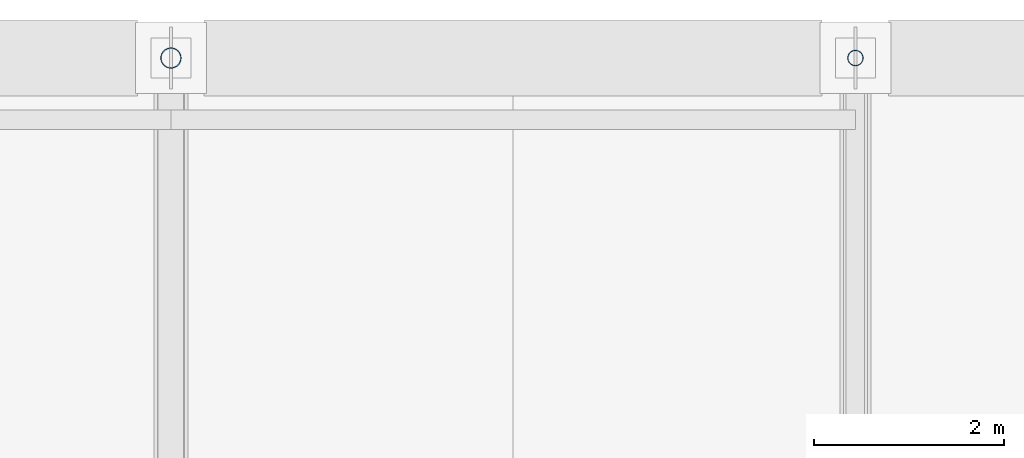
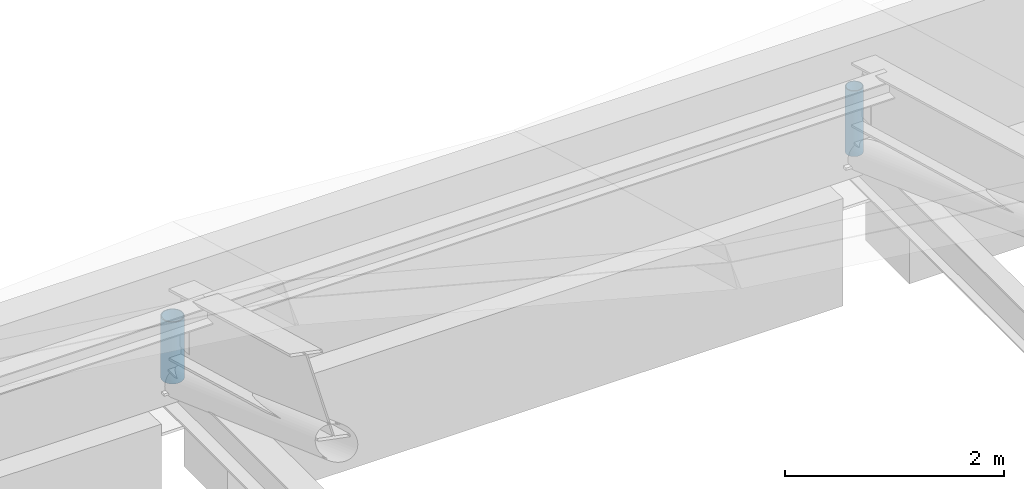
# One storey, part 39 of 53: 2 members.
"""IFC4 building model written with IfcOpenShell, lengths in metres."""

import ifcopenshell
import ifcopenshell.guid

model = None  # the IFC model being written
_history = None  # IfcOwnerHistory: only IFC2X3 demands one
_inside = {}  # id of a spatial element -> (the spatial element, [elements in it])
_under = {}  # id of a project, library or spatial element -> (it, [spatial elements below it])
_declared = {}  # id of a project -> (the project, [libraries it declares])
_typed = {}  # id of a type object -> (the type object, [elements of that type])
_made_of = {}  # id of a material, layer set ... -> (it, [elements and type objects made of it])


def new_model(schema):
    """Start an empty IFC model of exactly this schema.

    Asked for "IFC4X3", IfcOpenShell would pick the latest addendum, in which some entities
    have other attributes; the version numbers below select the first issue.
    IFC2X3 requires an IfcOwnerHistory on every rooted entity: one is made here for all.
    """
    global model, _history
    if schema == "IFC4X3":
        model = ifcopenshell.file(schema_version=(4, 3, 0, 0))
    else:
        model = ifcopenshell.file(schema=schema)
    _inside.clear()
    _under.clear()
    _declared.clear()
    _typed.clear()
    _made_of.clear()
    _history = None
    if model.schema == "IFC2X3":
        org = make("IfcOrganization", Name="unknown")
        user = make(
            "IfcPersonAndOrganization",
            ThePerson=make("IfcPerson", FamilyName="unknown"),
            TheOrganization=org,
        )
        app = make(
            "IfcApplication",
            ApplicationDeveloper=org,
            Version="unknown",
            ApplicationFullName="unknown",
            ApplicationIdentifier="unknown",
        )
        _history = make(
            "IfcOwnerHistory",
            OwningUser=user,
            OwningApplication=app,
            ChangeAction="ADDED",
            CreationDate=0,
        )
    return model


def make(cls, **values):
    """One entity of the class cls with the attributes given. An attribute that is None is left unset."""
    return model.create_entity(
        cls, **{name: value for name, value in values.items() if value is not None}
    )


def rooted(cls, **values):
    """An entity with a GlobalId (a new one), such as an element, a storey or a relation."""
    return make(cls, GlobalId=ifcopenshell.guid.new(), OwnerHistory=_history, **values)


def si_unit(unit_type, name, prefix=None):
    """IfcSIUnit, for example si_unit("LENGTHUNIT", "METRE", prefix="MILLI")."""
    return make("IfcSIUnit", UnitType=unit_type, Prefix=prefix, Name=name)


def assignment(units):
    """IfcUnitAssignment: the units of a project."""
    return None if units is None else make("IfcUnitAssignment", Units=units)


def point(xyz):
    """IfcCartesianPoint."""
    return None if xyz is None else make("IfcCartesianPoint", Coordinates=xyz)


def direction(xyz):
    """IfcDirection."""
    return None if xyz is None else make("IfcDirection", DirectionRatios=xyz)


def frame(location, z_axis=None, x_axis=None):
    """IfcAxis2Placement3D, a coordinate frame: its origin and axes. An axis left out is left unset."""
    return make(
        "IfcAxis2Placement3D",
        Location=point(location),
        Axis=direction(z_axis),
        RefDirection=direction(x_axis),
    )


def frame_2d(location, x_axis=None):
    """IfcAxis2Placement2D, a coordinate frame in the plane: its origin and x axis."""
    return make(
        "IfcAxis2Placement2D", Location=point(location), RefDirection=direction(x_axis)
    )


def origin():
    """The frame at (0, 0, 0) with its axes left unset."""
    return frame((0.0, 0.0, 0.0))


def origin_2d():
    """The frame at (0, 0) in the plane with its x axis left unset."""
    return frame_2d((0.0, 0.0))


def place(relative_to, where):
    """IfcLocalPlacement: puts the frame where relative to a parent placement (None: the world)."""
    return make(
        "IfcLocalPlacement", PlacementRelTo=relative_to, RelativePlacement=where
    )


def context(
    kind, dimensions, precision=None, world=None, true_north=None, identifier=None
):
    """IfcGeometricRepresentationContext, for example the 3D "Model" context."""
    return make(
        "IfcGeometricRepresentationContext",
        ContextIdentifier=identifier,
        ContextType=kind,
        CoordinateSpaceDimension=dimensions,
        Precision=precision,
        WorldCoordinateSystem=world,
        TrueNorth=true_north,
    )


def subcontext(parent, identifier, kind, view, scale=None):
    """IfcGeometricRepresentationSubContext, for example "Body" below "Model"."""
    return make(
        "IfcGeometricRepresentationSubContext",
        ContextIdentifier=identifier,
        ContextType=kind,
        ParentContext=parent,
        TargetScale=scale,
        TargetView=view,
    )


def project(units=None, contexts=None):
    """IfcProject with its units and contexts."""
    return rooted(
        "IfcProject",
        Name="project",
        RepresentationContexts=contexts,
        UnitsInContext=assignment(units),
    )


def spatial(cls, under=None, at=None, **own):
    """A site, building, storey or space (cls), placed at a placement, below another one or the project."""
    s = rooted(cls, ObjectPlacement=at, **own)
    if under is not None:
        _under.setdefault(under.id(), (under, []))[1].append(s)
    return s


def profile(cls, at=None, kind="AREA", **sizes):
    """A parametric profile (cls). Its sizes go by their IFC names, for example OverallWidth=200.0."""
    return make(cls, ProfileType=kind, Position=at, **sizes)


def hollow_circle(**sizes):
    """IfcCircleHollowProfileDef."""
    return profile("IfcCircleHollowProfileDef", **sizes)


def extrude(swept, where, along, depth):
    """IfcExtrudedAreaSolid: the profile swept, set in the frame where, extruded along a direction by depth."""
    return make(
        "IfcExtrudedAreaSolid",
        SweptArea=swept,
        Position=where,
        ExtrudedDirection=direction(along),
        Depth=depth,
    )


def shape(context_of_items, identifier, shape_type, items):
    """IfcShapeRepresentation: the items that make up one representation, for example the "Body"."""
    return make(
        "IfcShapeRepresentation",
        ContextOfItems=context_of_items,
        RepresentationIdentifier=identifier,
        RepresentationType=shape_type,
        Items=items,
    )


def material(Name=None, Category=None):
    """IfcMaterial."""
    return make("IfcMaterial", Name=Name, Category=Category)


def material_profile(
    of_material, cross_section, Name=None, Category=None, Priority=None
):
    """IfcMaterialProfile: a cross section and its material."""
    return make(
        "IfcMaterialProfile",
        Name=Name,
        Material=of_material,
        Profile=cross_section,
        Priority=Priority,
        Category=Category,
    )


def profile_set(profiles, Name=None, composite=None):
    """IfcMaterialProfileSet."""
    return make(
        "IfcMaterialProfileSet",
        Name=Name,
        MaterialProfiles=profiles,
        CompositeProfile=composite,
    )


def made_of(thing, what):
    """Note that an element or type object is made of a material, layer set ...; save() writes the relation."""
    if what is not None:
        _made_of.setdefault(what.id(), (what, []))[1].append(thing)
    return thing


def type_object(cls, material=None, **own):
    """A type object (cls), such as IfcWallType, which elements share."""
    return made_of(rooted(cls, **own), material)


def element(
    cls,
    number,
    at=None,
    inside=None,
    cuts=None,
    type_object=None,
    material=None,
    context=None,
    identifier="Body",
    shape_type=None,
    held_by="IfcProductDefinitionShape",
    body=None,
    shapes=None,
    **own,
):
    """One element of the class cls, such as IfcWall. Its Tag is "e" and its number.

    at: its placement. inside: the storey or other place that contains it. cuts: it is an
    opening in that element (IfcRelVoidsElement). A single representation is given by context,
    identifier, shape_type and body (its items); several are given by shapes. held_by: the class
    of the entity that holds the representations. save() writes the other relations.
    """
    e = rooted(cls, Tag="e%d" % number, ObjectPlacement=at, **own)
    if body is not None:
        shapes = [shape(context, identifier, shape_type, body)]
    if shapes is not None:
        e.Representation = make(held_by, Representations=shapes)
    if inside is not None:
        _inside.setdefault(inside.id(), (inside, []))[1].append(e)
    if cuts is not None:
        rooted(
            "IfcRelVoidsElement", RelatingBuildingElement=cuts, RelatedOpeningElement=e
        )
    if type_object is not None:
        _typed.setdefault(type_object.id(), (type_object, []))[1].append(e)
    return made_of(e, material)


def aggregate(whole, parts):
    """IfcRelAggregates: a whole, such as a stair, and the parts it consists of."""
    return rooted("IfcRelAggregates", RelatingObject=whole, RelatedObjects=parts)


def save(model, path):
    """Write the relations noted so far, then the file.

    IfcRelAggregates (storeys below a building ...), IfcRelContainedInSpatialStructure (elements
    in a storey), IfcRelDefinesByType, IfcRelAssociatesMaterial and IfcRelDeclares: one each for
    every whole, place, type object, material and project.
    """
    for whole, parts in _under.values():
        aggregate(whole, parts)
    for where, things in _inside.values():
        rooted(
            "IfcRelContainedInSpatialStructure",
            RelatedElements=things,
            RelatingStructure=where,
        )
    for kind, things in _typed.values():
        rooted("IfcRelDefinesByType", RelatedObjects=things, RelatingType=kind)
    for what, things in _made_of.values():
        rooted("IfcRelAssociatesMaterial", RelatedObjects=things, RelatingMaterial=what)
    for by, libraries in _declared.values():
        rooted("IfcRelDeclares", RelatingContext=by, RelatedDefinitions=libraries)
    model.write(path)


model = new_model("IFC4")

# Units and contexts
model_context = context("Model", 3, precision=1e-05, world=origin(), true_north=direction((0.0, 1.0)))
body_context = subcontext(model_context, "Body", "Model", "MODEL_VIEW")
ifc_project = project(units=[si_unit("LENGTHUNIT", "METRE"), si_unit("AREAUNIT", "SQUARE_METRE"), si_unit("VOLUMEUNIT", "CUBIC_METRE"), si_unit("PLANEANGLEUNIT", "RADIAN"), si_unit("MASSUNIT", "GRAM", prefix="KILO")], contexts=[model_context])

# Site, building, storey
site_placement = place(None, origin())
site = spatial("IfcSite", under=ifc_project, at=site_placement, CompositionType="ELEMENT")
building_placement = place(site_placement, origin())
building = spatial("IfcBuilding", under=site, at=building_placement, Name="Pellamere Symphony Hall", CompositionType="ELEMENT")
storey_placement = place(building_placement, frame((0.0, 0.0, 24.0)))
storey = spatial("IfcBuildingStorey", under=building, at=storey_placement, Name="L05", CompositionType="ELEMENT", Elevation=24.0)

# Members
ifc_material = material(Name="Steel CSA G40.21 350W", Category="steel")
ifc_material_profile_1 = material_profile(ifc_material, hollow_circle(Radius=0.109619140625, WallThickness=0.009521484375, at=origin_2d()), Name="HSS219X10")
ifc_profile_set_1 = profile_set([ifc_material_profile_1], Name="Steel CSA G40.21 350W")
member_type_1 = type_object("IfcMemberType", Name="Steel Member SM-13 HSS219X10", PredefinedType="STRUT", material=ifc_profile_set_1)
member_1_placement = place(storey_placement, frame((102.0, 93.60009765625, 0.159912109375), z_axis=(0.0, 0.0, 1.0), x_axis=(1.0, 0.0, 0.0)))
element("IfcMember", 1, at=member_1_placement, inside=storey, type_object=member_type_1, Name="Roof Truss TR-07 Vertical Post 8", PredefinedType="STRUT", context=body_context, shape_type="SweptSolid", body=[
    extrude(hollow_circle(Radius=0.109619140625, WallThickness=0.009521484375, at=origin_2d()), origin(), (0.0, 0.0, 1.0), 0.690185546875),
])
ifc_material_profile_2 = material_profile(ifc_material, hollow_circle(Radius=0.084228515625, WallThickness=0.008056640625, at=origin_2d()), Name="HSS168X8")
ifc_profile_set_2 = profile_set([ifc_material_profile_2], Name="Steel CSA G40.21 350W")
member_type_2 = type_object("IfcMemberType", Name="Steel Member SM-14 HSS168X8", PredefinedType="COLLAR", material=ifc_profile_set_2)
member_2_placement = place(storey_placement, frame((109.199951171875, 93.60009765625, 0.159912109375), z_axis=(0.0, 0.0, 1.0), x_axis=(1.0, 0.0, 0.0)))
element("IfcMember", 2, at=member_2_placement, inside=storey, type_object=member_type_2, Name="Roof Truss TR-08 Vertical Post 8", PredefinedType="COLLAR", context=body_context, shape_type="SweptSolid", body=[
    extrude(hollow_circle(Radius=0.084228515625, WallThickness=0.008056640625, at=origin_2d()), origin(), (0.0, 0.0, 1.0), 0.731201171875),
])

save(model, "model.ifc")
